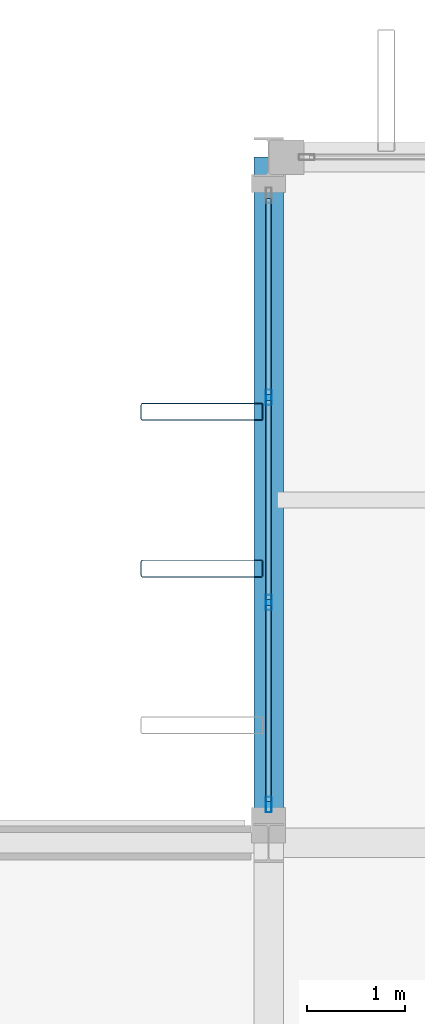
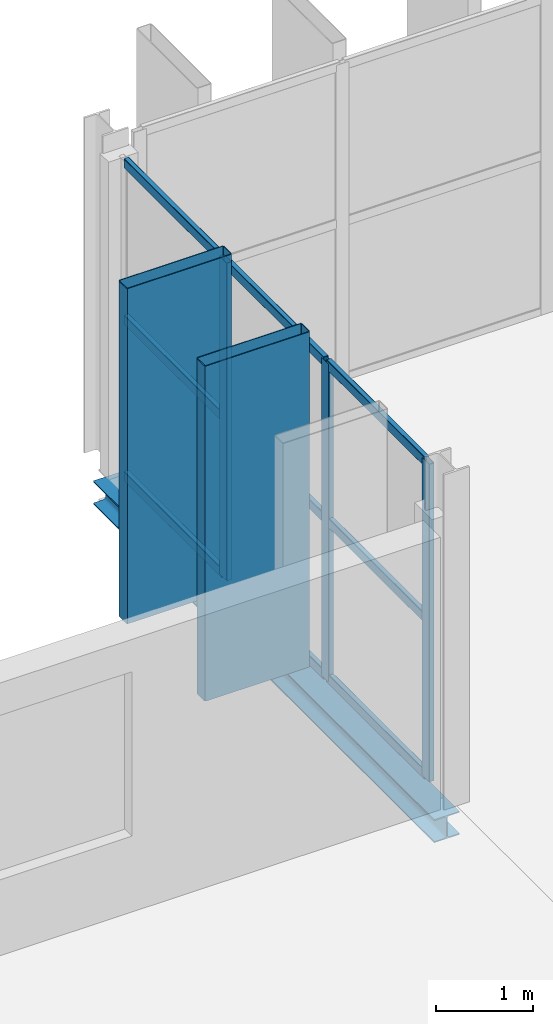
# One storey, part 22 of 101: 14 members, 1 beam, 1 element without a shape of its own.
"""IFC4 building model written with IfcOpenShell, lengths in metres."""

from ifc_helpers import new_model, si_unit, direction, frame, origin, origin_2d, place, context, subcontext, project, spatial, hollow_rectangle, i_section, extrude, material, layer, layer_set, material_profile, profile_set, type_object, element, aggregate, save


model = new_model("IFC4")

# Units and contexts
model_context = context("Model", 3, precision=1e-05, world=origin(), true_north=direction((0.0, 1.0)))
body_context = subcontext(model_context, "Body", "Model", "MODEL_VIEW")
ifc_project = project(units=[si_unit("LENGTHUNIT", "METRE"), si_unit("AREAUNIT", "SQUARE_METRE"), si_unit("VOLUMEUNIT", "CUBIC_METRE"), si_unit("PLANEANGLEUNIT", "RADIAN"), si_unit("MASSUNIT", "GRAM", prefix="KILO")], contexts=[model_context])

# Site, building, storey
site_placement = place(None, origin())
site = spatial("IfcSite", under=ifc_project, at=site_placement, CompositionType="ELEMENT")
building_placement = place(site_placement, origin())
building = spatial("IfcBuilding", under=site, at=building_placement, Name="Vekula Escarpment Museum", CompositionType="ELEMENT")
storey_placement = place(building_placement, frame((0.0, 0.0, 18.0)))
storey = spatial("IfcBuildingStorey", under=building, at=storey_placement, Name="L04", CompositionType="ELEMENT", Elevation=18.0)

# Beam
ifc_material_1 = material(Name="Steel S355", Category="steel")
ifc_material_profile_1 = material_profile(ifc_material_1, i_section(OverallWidth=0.300048828125, OverallDepth=0.2900390625, WebThickness=0.008544921875, FlangeThickness=0.013916015625, FilletRadius=0.027099609375, at=origin_2d()), Name="HEA 300")
ifc_profile_set_1 = profile_set([ifc_material_profile_1], Name="Steel S355")
beam_type = type_object("IfcBeamType", Name="BM-SPAN-HEA300", PredefinedType="SPANDREL", material=ifc_profile_set_1)
beam_placement = place(storey_placement, frame((70.0, 83.39990234375, -0.385009765625), z_axis=(0.0, 1.0, 0.0), x_axis=(-1.0, 0.0, 0.0)))
element("IfcBeam", 1, at=beam_placement, inside=storey, type_object=beam_type, Name="Beam Y L04 1878", PredefinedType="SPANDREL", context=body_context, shape_type="SweptSolid", body=[
    extrude(i_section(OverallWidth=0.300048828125, OverallDepth=0.2900390625, WebThickness=0.008544921875, FlangeThickness=0.013916015625, FilletRadius=0.027099609375, at=origin_2d()), origin(), (0.0, 0.0, 1.0), 7.0),
])

# Curtain wall, members
ifc_material_2 = material(Name="Aluminium thermally broken framing", Category="aluminium")
ifc_layer = layer(ifc_material_2, 0.159912109375)
ifc_layer_set = layer_set([ifc_layer], Name="Aluminium thermally broken framing")
curtain_wall_type = type_object("IfcCurtainWallType", Name="CW-SYS-01", PredefinedType="NOTDEFINED", material=ifc_layer_set)
curtain_wall_placement = place(storey_placement, origin())
curtain_wall = element("IfcCurtainWall", 2, at=curtain_wall_placement, inside=storey, type_object=curtain_wall_type, Name="Curtain Wall CW-L04-161", PredefinedType="NOTDEFINED")
ifc_material_3 = material(Name="Aluminium anodized mullion", Category="aluminium")
ifc_material_profile_2 = material_profile(ifc_material_3, hollow_rectangle(XDim=0.06005859375, YDim=0.159912109375, WallThickness=0.00390625, InnerFilletRadius=0.00390625, OuterFilletRadius=0.008056640625, at=origin_2d()), Name="ALU 160x60x4")
ifc_profile_set_2 = profile_set([ifc_material_profile_2], Name="Aluminium anodized mullion")
member_type_1 = type_object("IfcMemberType", Name="CW-MUL-160", PredefinedType="MULLION", material=ifc_profile_set_2)
member_1_placement = place(storey_placement, frame((70.0, 87.94677734375, 0.0), z_axis=(0.0, 0.0, 1.0), x_axis=(1.0, 0.0, 0.0)))
member_1 = element("IfcMember", 3, at=member_1_placement, type_object=member_type_1, Name="CW-01 mullion 2", PredefinedType="MULLION", context=body_context, shape_type="SweptSolid", body=[
    extrude(hollow_rectangle(XDim=0.06005859375, YDim=0.159912109375, WallThickness=0.00390625, InnerFilletRadius=0.00390625, OuterFilletRadius=0.008056640625, at=origin_2d()), origin(), (0.0, 0.0, 1.0), 3.97998046875),
])
member_2_placement = place(storey_placement, frame((70.0, 85.853271484375, 0.0), z_axis=(0.0, 0.0, 1.0), x_axis=(1.0, 0.0, 0.0)))
member_2 = element("IfcMember", 4, at=member_2_placement, type_object=member_type_1, Name="CW-01 mullion 3", PredefinedType="MULLION", context=body_context, shape_type="SweptSolid", body=[
    extrude(hollow_rectangle(XDim=0.06005859375, YDim=0.159912109375, WallThickness=0.00390625, InnerFilletRadius=0.00390625, OuterFilletRadius=0.008056640625, at=origin_2d()), origin(), (0.0, 0.0, 1.0), 3.97998046875),
])
member_3_placement = place(storey_placement, frame((70.0, 83.7900390625, 0.0), z_axis=(0.0, 0.0, 1.0), x_axis=(1.0, 0.0, 0.0)))
member_3 = element("IfcMember", 5, at=member_3_placement, type_object=member_type_1, Name="CW-01 mullion 4", PredefinedType="MULLION", context=body_context, shape_type="SweptSolid", body=[
    extrude(hollow_rectangle(XDim=0.06005859375, YDim=0.159912109375, WallThickness=0.00390625, InnerFilletRadius=0.00390625, OuterFilletRadius=0.008056640625, at=origin_2d()), origin(), (0.0, 0.0, 1.0), 3.97998046875),
])
ifc_material_4 = material(Name="Aluminium anodized transom", Category="aluminium")
ifc_material_profile_3 = material_profile(ifc_material_4, hollow_rectangle(XDim=0.06005859375, YDim=0.1201171875, WallThickness=0.00390625, InnerFilletRadius=0.00390625, OuterFilletRadius=0.008056640625, at=origin_2d()), Name="ALU 120x60x4")
ifc_profile_set_3 = profile_set([ifc_material_profile_3], Name="Aluminium anodized transom")
member_type_2 = type_object("IfcMemberType", Name="CW-TRN-120", PredefinedType="USERDEFINED", material=ifc_profile_set_3)
member_4_placement = place(storey_placement, frame((70.0, 89.97998046875, 0.030029296875), z_axis=(0.0, -1.0, 0.0), x_axis=(1.0, 0.0, 0.0)))
member_4 = element("IfcMember", 6, at=member_4_placement, type_object=member_type_2, Name="CW-01 transom 1.1", ObjectType="TRANSOM", PredefinedType="USERDEFINED", context=body_context, shape_type="SweptSolid", body=[
    extrude(hollow_rectangle(XDim=0.06005859375, YDim=0.1201171875, WallThickness=0.00390625, InnerFilletRadius=0.00390625, OuterFilletRadius=0.008056640625, at=origin_2d()), origin(), (0.0, 0.0, 1.0), 2.00341796875),
])
member_5_placement = place(storey_placement, frame((70.0, 89.97998046875, 1.989990234375), z_axis=(0.0, -1.0, 0.0), x_axis=(1.0, 0.0, 0.0)))
member_5 = element("IfcMember", 7, at=member_5_placement, type_object=member_type_2, Name="CW-01 transom 1.2", ObjectType="TRANSOM", PredefinedType="USERDEFINED", context=body_context, shape_type="SweptSolid", body=[
    extrude(hollow_rectangle(XDim=0.06005859375, YDim=0.1201171875, WallThickness=0.00390625, InnerFilletRadius=0.00390625, OuterFilletRadius=0.008056640625, at=origin_2d()), origin(), (0.0, 0.0, 1.0), 2.00341796875),
])
member_6_placement = place(storey_placement, frame((70.0, 89.97998046875, 3.949951171875), z_axis=(0.0, -1.0, 0.0), x_axis=(1.0, 0.0, 0.0)))
member_6 = element("IfcMember", 8, at=member_6_placement, type_object=member_type_2, Name="CW-01 transom 1.3", ObjectType="TRANSOM", PredefinedType="USERDEFINED", context=body_context, shape_type="SweptSolid", body=[
    extrude(hollow_rectangle(XDim=0.06005859375, YDim=0.1201171875, WallThickness=0.00390625, InnerFilletRadius=0.00390625, OuterFilletRadius=0.008056640625, at=origin_2d()), origin(), (0.0, 0.0, 1.0), 2.00341796875),
])
member_7_placement = place(storey_placement, frame((70.0, 87.916748046875, 0.030029296875), z_axis=(0.0, -1.0, 0.0), x_axis=(1.0, 0.0, 0.0)))
member_7 = element("IfcMember", 9, at=member_7_placement, type_object=member_type_2, Name="CW-01 transom 2.1", ObjectType="TRANSOM", PredefinedType="USERDEFINED", context=body_context, shape_type="SweptSolid", body=[
    extrude(hollow_rectangle(XDim=0.06005859375, YDim=0.1201171875, WallThickness=0.00390625, InnerFilletRadius=0.00390625, OuterFilletRadius=0.008056640625, at=origin_2d()), origin(), (0.0, 0.0, 1.0), 2.033447265625),
])
member_8_placement = place(storey_placement, frame((70.0, 87.916748046875, 1.989990234375), z_axis=(0.0, -1.0, 0.0), x_axis=(1.0, 0.0, 0.0)))
member_8 = element("IfcMember", 10, at=member_8_placement, type_object=member_type_2, Name="CW-01 transom 2.2", ObjectType="TRANSOM", PredefinedType="USERDEFINED", context=body_context, shape_type="SweptSolid", body=[
    extrude(hollow_rectangle(XDim=0.06005859375, YDim=0.1201171875, WallThickness=0.00390625, InnerFilletRadius=0.00390625, OuterFilletRadius=0.008056640625, at=origin_2d()), origin(), (0.0, 0.0, 1.0), 2.033447265625),
])
member_9_placement = place(storey_placement, frame((70.0, 87.916748046875, 3.949951171875), z_axis=(0.0, -1.0, 0.0), x_axis=(1.0, 0.0, 0.0)))
member_9 = element("IfcMember", 11, at=member_9_placement, type_object=member_type_2, Name="CW-01 transom 2.3", ObjectType="TRANSOM", PredefinedType="USERDEFINED", context=body_context, shape_type="SweptSolid", body=[
    extrude(hollow_rectangle(XDim=0.06005859375, YDim=0.1201171875, WallThickness=0.00390625, InnerFilletRadius=0.00390625, OuterFilletRadius=0.008056640625, at=origin_2d()), origin(), (0.0, 0.0, 1.0), 2.033447265625),
])
member_10_placement = place(storey_placement, frame((70.0, 85.8232421875, 0.030029296875), z_axis=(0.0, -1.0, 0.0), x_axis=(1.0, 0.0, 0.0)))
member_10 = element("IfcMember", 12, at=member_10_placement, type_object=member_type_2, Name="CW-01 transom 3.1", ObjectType="TRANSOM", PredefinedType="USERDEFINED", context=body_context, shape_type="SweptSolid", body=[
    extrude(hollow_rectangle(XDim=0.06005859375, YDim=0.1201171875, WallThickness=0.00390625, InnerFilletRadius=0.00390625, OuterFilletRadius=0.008056640625, at=origin_2d()), origin(), (0.0, 0.0, 1.0), 2.003173828125),
])
member_11_placement = place(storey_placement, frame((70.0, 85.8232421875, 1.989990234375), z_axis=(0.0, -1.0, 0.0), x_axis=(1.0, 0.0, 0.0)))
member_11 = element("IfcMember", 13, at=member_11_placement, type_object=member_type_2, Name="CW-01 transom 3.2", ObjectType="TRANSOM", PredefinedType="USERDEFINED", context=body_context, shape_type="SweptSolid", body=[
    extrude(hollow_rectangle(XDim=0.06005859375, YDim=0.1201171875, WallThickness=0.00390625, InnerFilletRadius=0.00390625, OuterFilletRadius=0.008056640625, at=origin_2d()), origin(), (0.0, 0.0, 1.0), 2.003173828125),
])
member_12_placement = place(storey_placement, frame((70.0, 85.8232421875, 3.949951171875), z_axis=(0.0, -1.0, 0.0), x_axis=(1.0, 0.0, 0.0)))
member_12 = element("IfcMember", 14, at=member_12_placement, type_object=member_type_2, Name="CW-01 transom 3.3", ObjectType="TRANSOM", PredefinedType="USERDEFINED", context=body_context, shape_type="SweptSolid", body=[
    extrude(hollow_rectangle(XDim=0.06005859375, YDim=0.1201171875, WallThickness=0.00390625, InnerFilletRadius=0.00390625, OuterFilletRadius=0.008056640625, at=origin_2d()), origin(), (0.0, 0.0, 1.0), 2.003173828125),
])
aggregate(curtain_wall, [member_1, member_2, member_3, member_4, member_5, member_6, member_7, member_8, member_9, member_10, member_11, member_12])

# Members
ifc_material_5 = material(Name="Steel S355 weathered bronze solar fin", Category="steel")
ifc_material_profile_4 = material_profile(ifc_material_5, hollow_rectangle(XDim=0.179931640625, YDim=1.25, WallThickness=0.010009765625, InnerFilletRadius=0.010009765625, OuterFilletRadius=0.02001953125, at=origin_2d()), Name="RHS 1250x180x10")
ifc_profile_set_4 = profile_set([ifc_material_profile_4], Name="Steel S355 weathered bronze solar fin")
member_type_3 = type_object("IfcMemberType", Name="MB-SOLAR-FIN", PredefinedType="USERDEFINED", material=ifc_profile_set_4)
for number, where, z_axis, x_axis, name in (
    (15, (69.320068359375, 86.199951171875, 0.0), (0.0, 0.0, 1.0), (0.0, 1.0, 0.0), "Great Hall Vertical Solar Fin 0344"),
    (16, (69.320068359375, 87.800048828125, 0.0), (0.0, 0.0, 1.0), (0.0, 1.0, 0.0), "Great Hall Vertical Solar Fin 0349"),
):
    element("IfcMember", number, at=place(storey_placement, frame(where, z_axis=z_axis, x_axis=x_axis)), inside=storey, type_object=member_type_3, Name=name, ObjectType="SOLAR FIN", PredefinedType="USERDEFINED", context=body_context, shape_type="SweptSolid", body=[
        extrude(hollow_rectangle(XDim=0.179931640625, YDim=1.25, WallThickness=0.010009765625, InnerFilletRadius=0.010009765625, OuterFilletRadius=0.02001953125, at=origin_2d()), origin(), (0.0, 0.0, 1.0), 4.199951171875),
    ])

save(model, "model.ifc")
